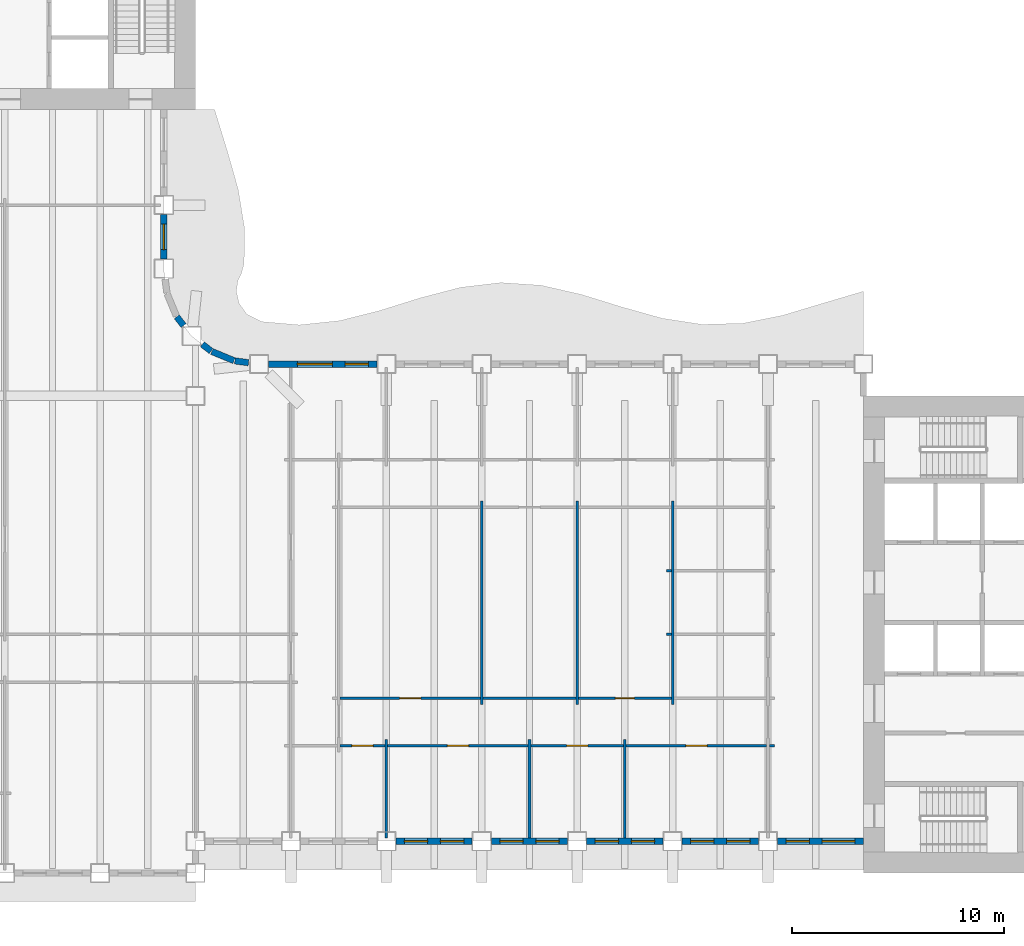
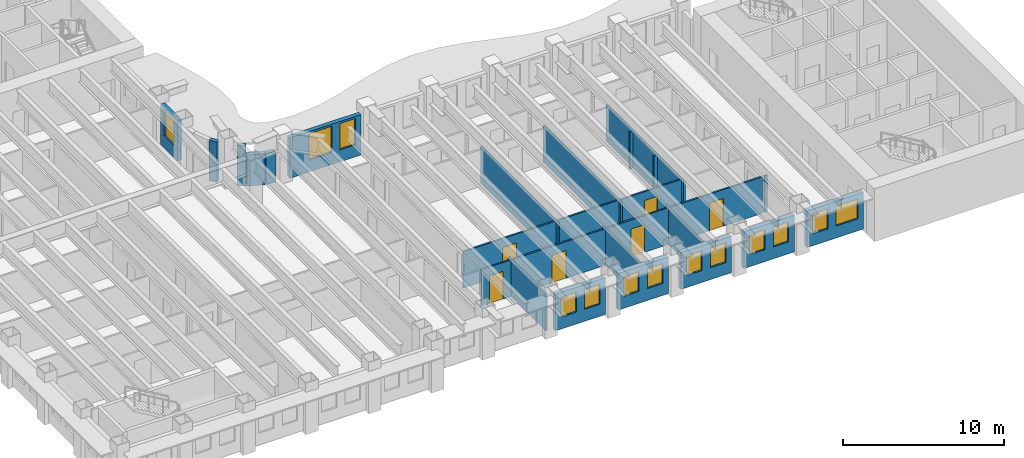
# One storey, part 5 of 16: 27 walls, 13 windows, 6 doors, 19 openings.
"""IFC4 building model written with IfcOpenShell, lengths in metres."""

from ifc_helpers import new_model, si_unit, direction, frame, frame_2d, origin, place, context, subcontext, project, spatial, rectangle, extrude, material, layer, layer_set, type_object, element, fill, save


model = new_model("IFC4")

# Units and contexts
model_context = context("Model", 3, precision=1e-05, world=origin(), true_north=direction((0.0, 1.0)))
body_context = subcontext(model_context, "Body", "Model", "MODEL_VIEW")
ifc_project = project(units=[si_unit("LENGTHUNIT", "METRE"), si_unit("AREAUNIT", "SQUARE_METRE"), si_unit("VOLUMEUNIT", "CUBIC_METRE"), si_unit("PLANEANGLEUNIT", "RADIAN"), si_unit("MASSUNIT", "GRAM", prefix="KILO")], contexts=[model_context])

# Site, building, storey
site_placement = place(None, origin())
site = spatial("IfcSite", under=ifc_project, at=site_placement, CompositionType="ELEMENT")
building_placement = place(site_placement, origin())
building = spatial("IfcBuilding", under=site, at=building_placement, Name="Sennacour Bend Tower", CompositionType="ELEMENT")
storey_placement = place(building_placement, frame((0.0, 0.0, 183.0)))
storey = spatial("IfcBuildingStorey", under=building, at=storey_placement, Name="L42", CompositionType="ELEMENT", Elevation=183.0)

# Walls
ifc_material_1 = material(Name="Plasterboard partition on steel studs", Category="steel")
ifc_layer_1 = layer(ifc_material_1, 0.1201171875, Name="Plasterboard partition on steel studs", Category="steel")
ifc_layer_set_1 = layer_set([ifc_layer_1], Name="Plasterboard partition on steel studs")
wall_type_1 = type_object("IfcWallType", Name="Partition 120", PredefinedType="PARTITIONING", material=ifc_layer_set_1)
wall_1_placement = place(storey_placement, frame((31.5, 1.64990234375, 0.0), z_axis=(0.0, 0.0, 1.0), x_axis=(0.0, 1.0, 0.0)))
element("IfcWall", 1, at=wall_1_placement, inside=storey, type_object=wall_type_1, Name="P-L42-W024a", PredefinedType="PARTITIONING", context=body_context, shape_type="SweptSolid", body=[
    extrude(rectangle(XDim=4.650146484375, YDim=0.1201171875, at=frame_2d((2.3251953125, 0.0))), origin(), (0.0, 0.0, 1.0), 2.77001953125),
])
wall_2_placement = place(storey_placement, frame((36.0, 7.949951171875, 0.0), z_axis=(0.0, 0.0, 1.0), x_axis=(0.0, 1.0, 0.0)))
element("IfcWall", 2, at=wall_2_placement, inside=storey, type_object=wall_type_1, Name="P-L42-W026a", PredefinedType="PARTITIONING", context=body_context, shape_type="SweptSolid", body=[
    extrude(rectangle(XDim=9.60009765625, YDim=0.1201171875, at=frame_2d((4.800048828125, 0.0))), origin(), (0.0, 0.0, 1.0), 2.77001953125),
])
wall_3_placement = place(storey_placement, frame((38.25, 1.64990234375, 0.0), z_axis=(0.0, 0.0, 1.0), x_axis=(0.0, 1.0, 0.0)))
element("IfcWall", 3, at=wall_3_placement, inside=storey, type_object=wall_type_1, Name="P-L42-W028a", PredefinedType="PARTITIONING", context=body_context, shape_type="SweptSolid", body=[
    extrude(rectangle(XDim=4.650146484375, YDim=0.1201171875, at=frame_2d((2.3251953125, 0.0))), origin(), (0.0, 0.0, 1.0), 2.77001953125),
])
wall_4_placement = place(storey_placement, frame((40.5, 7.949951171875, 0.0), z_axis=(0.0, 0.0, 1.0), x_axis=(0.0, 1.0, 0.0)))
element("IfcWall", 4, at=wall_4_placement, inside=storey, type_object=wall_type_1, Name="P-L42-W029a", PredefinedType="PARTITIONING", context=body_context, shape_type="SweptSolid", body=[
    extrude(rectangle(XDim=9.60009765625, YDim=0.1201171875, at=frame_2d((4.800048828125, 0.0))), origin(), (0.0, 0.0, 1.0), 2.77001953125),
])
wall_5_placement = place(storey_placement, frame((42.75, 1.64990234375, 0.0), z_axis=(0.0, 0.0, 1.0), x_axis=(0.0, 1.0, 0.0)))
element("IfcWall", 5, at=wall_5_placement, inside=storey, type_object=wall_type_1, Name="P-L42-W031a", PredefinedType="PARTITIONING", context=body_context, shape_type="SweptSolid", body=[
    extrude(rectangle(XDim=4.650146484375, YDim=0.1201171875, at=frame_2d((2.3251953125, 0.0))), origin(), (0.0, 0.0, 1.0), 2.77001953125),
])
wall_6_placement = place(storey_placement, frame((45.0, 7.949951171875, 0.0), z_axis=(0.0, 0.0, 1.0), x_axis=(0.0, 1.0, 0.0)))
element("IfcWall", 6, at=wall_6_placement, inside=storey, type_object=wall_type_1, Name="P-L42-W032a", PredefinedType="PARTITIONING", context=body_context, shape_type="SweptSolid", body=[
    extrude(rectangle(XDim=9.60009765625, YDim=0.1201171875, at=frame_2d((4.800048828125, 0.0))), origin(), (0.0, 0.0, 1.0), 2.77001953125),
])

# Wall, opening, door
wall_7_placement = place(storey_placement, frame((29.31005859375, 6.0, 0.0), z_axis=(0.0, 0.0, 1.0), x_axis=(1.0, 0.0, 0.0)))
wall_7 = element("IfcWall", 7, at=wall_7_placement, inside=storey, type_object=wall_type_1, Name="P-L42-W056ac", PredefinedType="PARTITIONING", context=body_context, shape_type="SweptSolid", body=[
    extrude(rectangle(XDim=2.1298828125, YDim=0.1201171875, at=frame_2d((1.06494140625, 0.0))), origin(), (0.0, 0.0, 1.0), 2.77001953125),
])
opening_1_placement = place(wall_7_placement, frame((0.56494140625, 0.0, 0.0)))
opening_1 = element("IfcOpeningElement", 8, at=opening_1_placement, cuts=wall_7, Name="Opening OD2", PredefinedType="OPENING", context=body_context, shape_type="SweptSolid", body=[
    extrude(rectangle(XDim=1.0, YDim=2.10009765625, at=frame_2d((0.5, 1.050048828125))), frame((0.0, 0.070068359375, 0.0), z_axis=(0.0, -1.0, 0.0), x_axis=(1.0, 0.0, 0.0)), (0.0, 0.0, 1.0), 0.14013671875),
])
ifc_material_2 = material(Name="Timber", Category="wood")
door_type_1 = type_object("IfcDoorType", Name="DR-OFFICE-1000", OperationType="NOTDEFINED", PredefinedType="DOOR", material=ifc_material_2)
door_1_placement = place(opening_1_placement, origin())
door_1 = element("IfcDoor", 9, at=door_1_placement, inside=storey, type_object=door_type_1, Name="Door", OperationType="SINGLE_SWING_LEFT", OverallHeight=2.10009765625, OverallWidth=1.0, PredefinedType="DOOR", context=body_context, shape_type="SweptSolid", body=[
    extrude(rectangle(XDim=1.0, YDim=2.10009765625, at=frame_2d((0.5, 1.050048828125))), frame((0.0, 0.02490234375, 0.0), z_axis=(0.0, -1.0, 0.0), x_axis=(1.0, 0.0, 0.0)), (0.0, 0.0, 1.0), 0.050048828125),
])
fill(opening_1, door_1)

wall_8_placement = place(storey_placement, frame((31.56005859375, 6.0, 0.0), z_axis=(0.0, 0.0, 1.0), x_axis=(1.0, 0.0, 0.0)))
wall_8 = element("IfcWall", 10, at=wall_8_placement, inside=storey, type_object=wall_type_1, Name="P-L42-W056ad", PredefinedType="PARTITIONING", context=body_context, shape_type="SweptSolid", body=[
    extrude(rectangle(XDim=6.6298828125, YDim=0.1201171875, at=frame_2d((3.31494140625, 0.0))), origin(), (0.0, 0.0, 1.0), 2.77001953125),
])
opening_2_placement = place(wall_8_placement, frame((2.81494140625, 0.0, 0.0)))
opening_2 = element("IfcOpeningElement", 11, at=opening_2_placement, cuts=wall_8, Name="Opening OD2", PredefinedType="OPENING", context=body_context, shape_type="SweptSolid", body=[
    extrude(rectangle(XDim=1.0, YDim=2.10009765625, at=frame_2d((0.5, 1.050048828125))), frame((0.0, 0.070068359375, 0.0), z_axis=(0.0, -1.0, 0.0), x_axis=(1.0, 0.0, 0.0)), (0.0, 0.0, 1.0), 0.14013671875),
])
door_2_placement = place(opening_2_placement, origin())
door_2 = element("IfcDoor", 12, at=door_2_placement, inside=storey, type_object=door_type_1, Name="Door", OperationType="SINGLE_SWING_LEFT", OverallHeight=2.10009765625, OverallWidth=1.0, PredefinedType="DOOR", context=body_context, shape_type="SweptSolid", body=[
    extrude(rectangle(XDim=1.0, YDim=2.10009765625, at=frame_2d((0.5, 1.050048828125))), frame((0.0, 0.02490234375, 0.0), z_axis=(0.0, -1.0, 0.0), x_axis=(1.0, 0.0, 0.0)), (0.0, 0.0, 1.0), 0.050048828125),
])
fill(opening_2, door_2)

wall_9_placement = place(storey_placement, frame((38.31005859375, 6.0, 0.0), z_axis=(0.0, 0.0, 1.0), x_axis=(1.0, 0.0, 0.0)))
wall_9 = element("IfcWall", 13, at=wall_9_placement, inside=storey, type_object=wall_type_1, Name="P-L42-W056ae", PredefinedType="PARTITIONING", context=body_context, shape_type="SweptSolid", body=[
    extrude(rectangle(XDim=4.3798828125, YDim=0.1201171875, at=frame_2d((2.18994140625, 0.0))), origin(), (0.0, 0.0, 1.0), 2.77001953125),
])
opening_3_placement = place(wall_9_placement, frame((1.68994140625, 0.0, 0.0)))
opening_3 = element("IfcOpeningElement", 14, at=opening_3_placement, cuts=wall_9, Name="Opening MD2", PredefinedType="OPENING", context=body_context, shape_type="SweptSolid", body=[
    extrude(rectangle(XDim=1.0, YDim=2.10009765625, at=frame_2d((0.5, 1.050048828125))), frame((0.0, 0.070068359375, 0.0), z_axis=(0.0, -1.0, 0.0), x_axis=(1.0, 0.0, 0.0)), (0.0, 0.0, 1.0), 0.14013671875),
])
door_type_2 = type_object("IfcDoorType", Name="DR-MEETING-1000", OperationType="NOTDEFINED", PredefinedType="DOOR", material=ifc_material_2)
door_3_placement = place(opening_3_placement, origin())
door_3 = element("IfcDoor", 15, at=door_3_placement, inside=storey, type_object=door_type_2, Name="Door", OperationType="SINGLE_SWING_LEFT", OverallHeight=2.10009765625, OverallWidth=1.0, PredefinedType="DOOR", context=body_context, shape_type="SweptSolid", body=[
    extrude(rectangle(XDim=1.0, YDim=2.10009765625, at=frame_2d((0.5, 1.050048828125))), frame((0.0, 0.02490234375, 0.0), z_axis=(0.0, -1.0, 0.0), x_axis=(1.0, 0.0, 0.0)), (0.0, 0.0, 1.0), 0.050048828125),
])
fill(opening_3, door_3)

wall_10_placement = place(storey_placement, frame((42.81005859375, 6.0, 0.0), z_axis=(0.0, 0.0, 1.0), x_axis=(1.0, 0.0, 0.0)))
wall_10 = element("IfcWall", 16, at=wall_10_placement, inside=storey, type_object=wall_type_1, Name="P-L42-W056af", PredefinedType="PARTITIONING", context=body_context, shape_type="SweptSolid", body=[
    extrude(rectangle(XDim=6.6298828125, YDim=0.1201171875, at=frame_2d((3.31494140625, 0.0))), origin(), (0.0, 0.0, 1.0), 2.77001953125),
])
opening_4_placement = place(wall_10_placement, frame((2.81494140625, 0.0, 0.0)))
opening_4 = element("IfcOpeningElement", 17, at=opening_4_placement, cuts=wall_10, Name="Opening OD2", PredefinedType="OPENING", context=body_context, shape_type="SweptSolid", body=[
    extrude(rectangle(XDim=1.0, YDim=2.10009765625, at=frame_2d((0.5, 1.050048828125))), frame((0.0, 0.070068359375, 0.0), z_axis=(0.0, -1.0, 0.0), x_axis=(1.0, 0.0, 0.0)), (0.0, 0.0, 1.0), 0.14013671875),
])
door_4_placement = place(opening_4_placement, origin())
door_4 = element("IfcDoor", 18, at=door_4_placement, inside=storey, type_object=door_type_1, Name="Door", OperationType="SINGLE_SWING_LEFT", OverallHeight=2.10009765625, OverallWidth=1.0, PredefinedType="DOOR", context=body_context, shape_type="SweptSolid", body=[
    extrude(rectangle(XDim=1.0, YDim=2.10009765625, at=frame_2d((0.5, 1.050048828125))), frame((0.0, 0.02490234375, 0.0), z_axis=(0.0, -1.0, 0.0), x_axis=(1.0, 0.0, 0.0)), (0.0, 0.0, 1.0), 0.050048828125),
])
fill(opening_4, door_4)

# Wall
wall_11_placement = place(storey_placement, frame((49.56005859375, 6.0, 0.0), z_axis=(0.0, 0.0, 1.0), x_axis=(1.0, 0.0, 0.0)))
element("IfcWall", 19, at=wall_11_placement, inside=storey, type_object=wall_type_1, Name="P-L42-W056ag", PredefinedType="PARTITIONING", context=body_context, shape_type="SweptSolid", body=[
    extrude(rectangle(XDim=0.239990234375, YDim=0.1201171875, at=frame_2d((0.1201171875, 0.0))), origin(), (0.0, 0.0, 1.0), 2.77001953125),
])

# Wall, opening, door
wall_12_placement = place(storey_placement, frame((29.31005859375, 8.25, 0.0), z_axis=(0.0, 0.0, 1.0), x_axis=(1.0, 0.0, 0.0)))
wall_12 = element("IfcWall", 20, at=wall_12_placement, inside=storey, type_object=wall_type_1, Name="P-L42-W058ab", PredefinedType="PARTITIONING", context=body_context, shape_type="SweptSolid", body=[
    extrude(rectangle(XDim=6.6298828125, YDim=0.1201171875, at=frame_2d((3.31494140625, 0.0))), origin(), (0.0, 0.0, 1.0), 2.77001953125),
])
opening_5_placement = place(wall_12_placement, frame((2.81494140625, 0.0, 0.0)))
opening_5 = element("IfcOpeningElement", 21, at=opening_5_placement, cuts=wall_12, Name="Opening OD2", PredefinedType="OPENING", context=body_context, shape_type="SweptSolid", body=[
    extrude(rectangle(XDim=1.0, YDim=2.10009765625, at=frame_2d((0.5, 1.050048828125))), frame((0.0, 0.070068359375, 0.0), z_axis=(0.0, -1.0, 0.0), x_axis=(1.0, 0.0, 0.0)), (0.0, 0.0, 1.0), 0.14013671875),
])
door_5_placement = place(opening_5_placement, origin())
door_5 = element("IfcDoor", 22, at=door_5_placement, inside=storey, type_object=door_type_1, Name="Door", OperationType="SINGLE_SWING_LEFT", OverallHeight=2.10009765625, OverallWidth=1.0, PredefinedType="DOOR", context=body_context, shape_type="SweptSolid", body=[
    extrude(rectangle(XDim=1.0, YDim=2.10009765625, at=frame_2d((0.5, 1.050048828125))), frame((0.0, 0.02490234375, 0.0), z_axis=(0.0, -1.0, 0.0), x_axis=(1.0, 0.0, 0.0)), (0.0, 0.0, 1.0), 0.050048828125),
])
fill(opening_5, door_5)

# Walls
wall_13_placement = place(storey_placement, frame((36.06005859375, 8.25, 0.0), z_axis=(0.0, 0.0, 1.0), x_axis=(1.0, 0.0, 0.0)))
element("IfcWall", 23, at=wall_13_placement, inside=storey, type_object=wall_type_1, Name="P-L42-W058ac", PredefinedType="PARTITIONING", context=body_context, shape_type="SweptSolid", body=[
    extrude(rectangle(XDim=4.3798828125, YDim=0.1201171875, at=frame_2d((2.18994140625, 0.0))), origin(), (0.0, 0.0, 1.0), 2.77001953125),
])
for number, where, z_axis, x_axis, name in (
    (24, (44.699951171875, 11.25, 0.0), (0.0, 0.0, 1.0), (1.0, 0.0, 0.0), "P-L42-W062aa"),
    (25, (44.699951171875, 14.25, 0.0), (0.0, 0.0, 1.0), (1.0, 0.0, 0.0), "P-L42-W064aa"),
):
    element("IfcWall", number, at=place(storey_placement, frame(where, z_axis=z_axis, x_axis=x_axis)), inside=storey, type_object=wall_type_1, Name=name, PredefinedType="PARTITIONING", context=body_context, shape_type="SweptSolid", body=[
        extrude(rectangle(XDim=0.239990234375, YDim=0.1201171875, at=frame_2d((0.1201171875, 0.0))), origin(), (0.0, 0.0, 1.0), 2.77001953125),
    ])

# Wall, opening, door
ifc_layer_2 = layer(ifc_material_1, 0.1201171875, Name="Plasterboard partition on steel studs", Category="steel")
ifc_layer_set_2 = layer_set([ifc_layer_2], Name="Plasterboard partition on steel studs")
wall_type_2 = type_object("IfcWallType", Name="Partition 120 EI 60", PredefinedType="PARTITIONING", material=ifc_layer_set_2)
wall_14_placement = place(storey_placement, frame((40.56005859375, 8.25, 0.0), z_axis=(0.0, 0.0, 1.0), x_axis=(1.0, 0.0, 0.0)))
wall_14 = element("IfcWall", 26, at=wall_14_placement, inside=storey, type_object=wall_type_2, Name="P-L42-W058ad", PredefinedType="PARTITIONING", context=body_context, shape_type="SweptSolid", body=[
    extrude(rectangle(XDim=4.3798828125, YDim=0.1201171875, at=frame_2d((2.18994140625, 0.0))), origin(), (0.0, 0.0, 1.0), 2.77001953125),
])
opening_6_placement = place(wall_14_placement, frame((1.739990234375, 0.0, 0.0)))
opening_6 = element("IfcOpeningElement", 27, at=opening_6_placement, cuts=wall_14, Name="Opening SV", PredefinedType="OPENING", context=body_context, shape_type="SweptSolid", body=[
    extrude(rectangle(XDim=0.89990234375, YDim=2.10009765625, at=frame_2d((0.449951171875, 1.050048828125))), frame((0.0, 0.070068359375, 0.0), z_axis=(0.0, -1.0, 0.0), x_axis=(1.0, 0.0, 0.0)), (0.0, 0.0, 1.0), 0.14013671875),
])
ifc_material_3 = material(Name="Painted steel", Category="steel")
door_type_3 = type_object("IfcDoorType", Name="DR-SERVICE-900", OperationType="NOTDEFINED", PredefinedType="DOOR", material=ifc_material_3)
door_6_placement = place(opening_6_placement, origin())
door_6 = element("IfcDoor", 28, at=door_6_placement, inside=storey, type_object=door_type_3, Name="Door", OperationType="SINGLE_SWING_LEFT", OverallHeight=2.10009765625, OverallWidth=0.89990234375, PredefinedType="DOOR", context=body_context, shape_type="SweptSolid", body=[
    extrude(rectangle(XDim=0.89990234375, YDim=2.10009765625, at=frame_2d((0.449951171875, 1.050048828125))), frame((0.0, 0.02490234375, 0.0), z_axis=(0.0, -1.0, 0.0), x_axis=(1.0, 0.0, 0.0)), (0.0, 0.0, 1.0), 0.050048828125),
])
fill(opening_6, door_6)

# Wall, openings, windows
ifc_material_4 = material(Name="Warm limestone cladding", Category="masonry")
ifc_layer_3 = layer(ifc_material_4, 0.050048828125, Name="Warm limestone cladding", Category="masonry")
ifc_material_5 = material(Name="Precast concrete C40/50", Category="concrete")
ifc_layer_4 = layer(ifc_material_5, 0.25, Name="Precast concrete C40/50", Category="concrete")
ifc_layer_set_3 = layer_set([ifc_layer_3, ifc_layer_4], Name="Precast concrete C40/50 with limestone cladding")
wall_type_3 = type_object("IfcWallType", Name="STONE-CLAD PRECAST SPANDREL 300", PredefinedType="STANDARD", material=ifc_layer_set_3)
wall_15_placement = place(storey_placement, frame((31.949951171875, 1.5, 0.0), z_axis=(0.0, 0.0, 1.0), x_axis=(1.0, 0.0, 0.0)))
wall_15 = element("IfcWall", 29, at=wall_15_placement, inside=storey, type_object=wall_type_3, Name="Stone spandrel and pier wall L42 02.02", PredefinedType="STANDARD", context=body_context, shape_type="SweptSolid", body=[
    extrude(rectangle(XDim=3.60009765625, YDim=0.300048828125, at=frame_2d((1.800048828125, 0.0))), origin(), (0.0, 0.0, 1.0), 2.77001953125),
])
opening_7_placement = place(wall_15_placement, frame((0.39990234375, 0.0, 0.89990234375)))
opening_7 = element("IfcOpeningElement", 30, at=opening_7_placement, cuts=wall_15, Name="Opening W20", PredefinedType="OPENING", context=body_context, shape_type="SweptSolid", body=[
    extrude(rectangle(XDim=1.10009765625, YDim=1.5, at=frame_2d((0.550048828125, 0.75))), frame((0.0, 0.16015625, 0.0), z_axis=(0.0, -1.0, 0.0), x_axis=(1.0, 0.0, 0.0)), (0.0, 0.0, 1.0), 0.320068359375),
])
opening_8_placement = place(wall_15_placement, frame((2.10009765625, 0.0, 0.89990234375)))
opening_8 = element("IfcOpeningElement", 31, at=opening_8_placement, cuts=wall_15, Name="Opening W20", PredefinedType="OPENING", context=body_context, shape_type="SweptSolid", body=[
    extrude(rectangle(XDim=1.10009765625, YDim=1.5, at=frame_2d((0.550048828125, 0.75))), frame((0.0, 0.16015625, 0.0), z_axis=(0.0, -1.0, 0.0), x_axis=(1.0, 0.0, 0.0)), (0.0, 0.0, 1.0), 0.320068359375),
])
ifc_material_6 = material(Name="Clear low-emissivity glass", Category="glass")
window_type_1 = type_object("IfcWindowType", Name="WIN-RIBBON-1100x1500", PartitioningType="SINGLE_PANEL", PredefinedType="WINDOW", material=ifc_material_6)
window_1_placement = place(opening_7_placement, origin())
window_1 = element("IfcWindow", 32, at=window_1_placement, inside=storey, type_object=window_type_1, Name="Ribbon window L42 02.02.0", OverallHeight=1.5, OverallWidth=1.10009765625, PartitioningType="SINGLE_PANEL", PredefinedType="WINDOW", context=body_context, shape_type="SweptSolid", body=[
    extrude(rectangle(XDim=1.10009765625, YDim=1.5, at=frame_2d((0.550048828125, 0.75))), frame((0.0, 0.030029296875, 0.0), z_axis=(0.0, -1.0, 0.0), x_axis=(1.0, 0.0, 0.0)), (0.0, 0.0, 1.0), 0.06005859375),
])
fill(opening_7, window_1)
window_2_placement = place(opening_8_placement, origin())
window_2 = element("IfcWindow", 33, at=window_2_placement, inside=storey, type_object=window_type_1, Name="Ribbon window L42 02.02.1", OverallHeight=1.5, OverallWidth=1.10009765625, PartitioningType="SINGLE_PANEL", PredefinedType="WINDOW", context=body_context, shape_type="SweptSolid", body=[
    extrude(rectangle(XDim=1.10009765625, YDim=1.5, at=frame_2d((0.550048828125, 0.75))), frame((0.0, 0.030029296875, 0.0), z_axis=(0.0, -1.0, 0.0), x_axis=(1.0, 0.0, 0.0)), (0.0, 0.0, 1.0), 0.06005859375),
])
fill(opening_8, window_2)

wall_16_placement = place(storey_placement, frame((36.449951171875, 1.5, 0.0), z_axis=(0.0, 0.0, 1.0), x_axis=(1.0, 0.0, 0.0)))
wall_16 = element("IfcWall", 34, at=wall_16_placement, inside=storey, type_object=wall_type_3, Name="Stone spandrel and pier wall L42 02.03", PredefinedType="STANDARD", context=body_context, shape_type="SweptSolid", body=[
    extrude(rectangle(XDim=3.60009765625, YDim=0.300048828125, at=frame_2d((1.800048828125, 0.0))), origin(), (0.0, 0.0, 1.0), 2.77001953125),
])
opening_9_placement = place(wall_16_placement, frame((0.39990234375, 0.0, 0.89990234375)))
opening_9 = element("IfcOpeningElement", 35, at=opening_9_placement, cuts=wall_16, Name="Opening W20", PredefinedType="OPENING", context=body_context, shape_type="SweptSolid", body=[
    extrude(rectangle(XDim=1.10009765625, YDim=1.5, at=frame_2d((0.550048828125, 0.75))), frame((0.0, 0.16015625, 0.0), z_axis=(0.0, -1.0, 0.0), x_axis=(1.0, 0.0, 0.0)), (0.0, 0.0, 1.0), 0.320068359375),
])
opening_10_placement = place(wall_16_placement, frame((2.10009765625, 0.0, 0.89990234375)))
opening_10 = element("IfcOpeningElement", 36, at=opening_10_placement, cuts=wall_16, Name="Opening W20", PredefinedType="OPENING", context=body_context, shape_type="SweptSolid", body=[
    extrude(rectangle(XDim=1.10009765625, YDim=1.5, at=frame_2d((0.550048828125, 0.75))), frame((0.0, 0.16015625, 0.0), z_axis=(0.0, -1.0, 0.0), x_axis=(1.0, 0.0, 0.0)), (0.0, 0.0, 1.0), 0.320068359375),
])
window_3_placement = place(opening_9_placement, origin())
window_3 = element("IfcWindow", 37, at=window_3_placement, inside=storey, type_object=window_type_1, Name="Ribbon window L42 02.03.0", OverallHeight=1.5, OverallWidth=1.10009765625, PartitioningType="SINGLE_PANEL", PredefinedType="WINDOW", context=body_context, shape_type="SweptSolid", body=[
    extrude(rectangle(XDim=1.10009765625, YDim=1.5, at=frame_2d((0.550048828125, 0.75))), frame((0.0, 0.030029296875, 0.0), z_axis=(0.0, -1.0, 0.0), x_axis=(1.0, 0.0, 0.0)), (0.0, 0.0, 1.0), 0.06005859375),
])
fill(opening_9, window_3)
window_4_placement = place(opening_10_placement, origin())
window_4 = element("IfcWindow", 38, at=window_4_placement, inside=storey, type_object=window_type_1, Name="Ribbon window L42 02.03.1", OverallHeight=1.5, OverallWidth=1.10009765625, PartitioningType="SINGLE_PANEL", PredefinedType="WINDOW", context=body_context, shape_type="SweptSolid", body=[
    extrude(rectangle(XDim=1.10009765625, YDim=1.5, at=frame_2d((0.550048828125, 0.75))), frame((0.0, 0.030029296875, 0.0), z_axis=(0.0, -1.0, 0.0), x_axis=(1.0, 0.0, 0.0)), (0.0, 0.0, 1.0), 0.06005859375),
])
fill(opening_10, window_4)

wall_17_placement = place(storey_placement, frame((40.949951171875, 1.5, 0.0), z_axis=(0.0, 0.0, 1.0), x_axis=(1.0, 0.0, 0.0)))
wall_17 = element("IfcWall", 39, at=wall_17_placement, inside=storey, type_object=wall_type_3, Name="Stone spandrel and pier wall L42 02.04", PredefinedType="STANDARD", context=body_context, shape_type="SweptSolid", body=[
    extrude(rectangle(XDim=3.60009765625, YDim=0.300048828125, at=frame_2d((1.800048828125, 0.0))), origin(), (0.0, 0.0, 1.0), 2.77001953125),
])
opening_11_placement = place(wall_17_placement, frame((0.39990234375, 0.0, 0.89990234375)))
opening_11 = element("IfcOpeningElement", 40, at=opening_11_placement, cuts=wall_17, Name="Opening W20", PredefinedType="OPENING", context=body_context, shape_type="SweptSolid", body=[
    extrude(rectangle(XDim=1.10009765625, YDim=1.5, at=frame_2d((0.550048828125, 0.75))), frame((0.0, 0.16015625, 0.0), z_axis=(0.0, -1.0, 0.0), x_axis=(1.0, 0.0, 0.0)), (0.0, 0.0, 1.0), 0.320068359375),
])
opening_12_placement = place(wall_17_placement, frame((2.10009765625, 0.0, 0.89990234375)))
opening_12 = element("IfcOpeningElement", 41, at=opening_12_placement, cuts=wall_17, Name="Opening W20", PredefinedType="OPENING", context=body_context, shape_type="SweptSolid", body=[
    extrude(rectangle(XDim=1.10009765625, YDim=1.5, at=frame_2d((0.550048828125, 0.75))), frame((0.0, 0.16015625, 0.0), z_axis=(0.0, -1.0, 0.0), x_axis=(1.0, 0.0, 0.0)), (0.0, 0.0, 1.0), 0.320068359375),
])
window_5_placement = place(opening_11_placement, origin())
window_5 = element("IfcWindow", 42, at=window_5_placement, inside=storey, type_object=window_type_1, Name="Ribbon window L42 02.04.0", OverallHeight=1.5, OverallWidth=1.10009765625, PartitioningType="SINGLE_PANEL", PredefinedType="WINDOW", context=body_context, shape_type="SweptSolid", body=[
    extrude(rectangle(XDim=1.10009765625, YDim=1.5, at=frame_2d((0.550048828125, 0.75))), frame((0.0, 0.030029296875, 0.0), z_axis=(0.0, -1.0, 0.0), x_axis=(1.0, 0.0, 0.0)), (0.0, 0.0, 1.0), 0.06005859375),
])
fill(opening_11, window_5)
window_6_placement = place(opening_12_placement, origin())
window_6 = element("IfcWindow", 43, at=window_6_placement, inside=storey, type_object=window_type_1, Name="Ribbon window L42 02.04.1", OverallHeight=1.5, OverallWidth=1.10009765625, PartitioningType="SINGLE_PANEL", PredefinedType="WINDOW", context=body_context, shape_type="SweptSolid", body=[
    extrude(rectangle(XDim=1.10009765625, YDim=1.5, at=frame_2d((0.550048828125, 0.75))), frame((0.0, 0.030029296875, 0.0), z_axis=(0.0, -1.0, 0.0), x_axis=(1.0, 0.0, 0.0)), (0.0, 0.0, 1.0), 0.06005859375),
])
fill(opening_12, window_6)

wall_18_placement = place(storey_placement, frame((45.449951171875, 1.5, 0.0), z_axis=(0.0, 0.0, 1.0), x_axis=(1.0, 0.0, 0.0)))
wall_18 = element("IfcWall", 44, at=wall_18_placement, inside=storey, type_object=wall_type_3, Name="Stone spandrel and pier wall L42 02.05", PredefinedType="STANDARD", context=body_context, shape_type="SweptSolid", body=[
    extrude(rectangle(XDim=3.60009765625, YDim=0.300048828125, at=frame_2d((1.800048828125, 0.0))), origin(), (0.0, 0.0, 1.0), 2.77001953125),
])
opening_13_placement = place(wall_18_placement, frame((0.39990234375, 0.0, 0.89990234375)))
opening_13 = element("IfcOpeningElement", 45, at=opening_13_placement, cuts=wall_18, Name="Opening W20", PredefinedType="OPENING", context=body_context, shape_type="SweptSolid", body=[
    extrude(rectangle(XDim=1.10009765625, YDim=1.5, at=frame_2d((0.550048828125, 0.75))), frame((0.0, 0.16015625, 0.0), z_axis=(0.0, -1.0, 0.0), x_axis=(1.0, 0.0, 0.0)), (0.0, 0.0, 1.0), 0.320068359375),
])
opening_14_placement = place(wall_18_placement, frame((2.10009765625, 0.0, 0.89990234375)))
opening_14 = element("IfcOpeningElement", 46, at=opening_14_placement, cuts=wall_18, Name="Opening W20", PredefinedType="OPENING", context=body_context, shape_type="SweptSolid", body=[
    extrude(rectangle(XDim=1.10009765625, YDim=1.5, at=frame_2d((0.550048828125, 0.75))), frame((0.0, 0.16015625, 0.0), z_axis=(0.0, -1.0, 0.0), x_axis=(1.0, 0.0, 0.0)), (0.0, 0.0, 1.0), 0.320068359375),
])
window_7_placement = place(opening_13_placement, origin())
window_7 = element("IfcWindow", 47, at=window_7_placement, inside=storey, type_object=window_type_1, Name="Ribbon window L42 02.05.0", OverallHeight=1.5, OverallWidth=1.10009765625, PartitioningType="SINGLE_PANEL", PredefinedType="WINDOW", context=body_context, shape_type="SweptSolid", body=[
    extrude(rectangle(XDim=1.10009765625, YDim=1.5, at=frame_2d((0.550048828125, 0.75))), frame((0.0, 0.030029296875, 0.0), z_axis=(0.0, -1.0, 0.0), x_axis=(1.0, 0.0, 0.0)), (0.0, 0.0, 1.0), 0.06005859375),
])
fill(opening_13, window_7)
window_8_placement = place(opening_14_placement, origin())
window_8 = element("IfcWindow", 48, at=window_8_placement, inside=storey, type_object=window_type_1, Name="Ribbon window L42 02.05.1", OverallHeight=1.5, OverallWidth=1.10009765625, PartitioningType="SINGLE_PANEL", PredefinedType="WINDOW", context=body_context, shape_type="SweptSolid", body=[
    extrude(rectangle(XDim=1.10009765625, YDim=1.5, at=frame_2d((0.550048828125, 0.75))), frame((0.0, 0.030029296875, 0.0), z_axis=(0.0, -1.0, 0.0), x_axis=(1.0, 0.0, 0.0)), (0.0, 0.0, 1.0), 0.06005859375),
])
fill(opening_14, window_8)

wall_19_placement = place(storey_placement, frame((49.949951171875, 1.5, 0.0), z_axis=(0.0, 0.0, 1.0), x_axis=(1.0, 0.0, 0.0)))
wall_19 = element("IfcWall", 49, at=wall_19_placement, inside=storey, type_object=wall_type_3, Name="Stone spandrel and pier wall L42 02.06", PredefinedType="STANDARD", context=body_context, shape_type="SweptSolid", body=[
    extrude(rectangle(XDim=4.050048828125, YDim=0.300048828125, at=frame_2d((2.02490234375, 0.0))), origin(), (0.0, 0.0, 1.0), 2.77001953125),
])
opening_15_placement = place(wall_19_placement, frame((0.39990234375, 0.0, 0.89990234375)))
opening_15 = element("IfcOpeningElement", 50, at=opening_15_placement, cuts=wall_19, Name="Opening W20", PredefinedType="OPENING", context=body_context, shape_type="SweptSolid", body=[
    extrude(rectangle(XDim=1.10009765625, YDim=1.5, at=frame_2d((0.550048828125, 0.75))), frame((0.0, 0.16015625, 0.0), z_axis=(0.0, -1.0, 0.0), x_axis=(1.0, 0.0, 0.0)), (0.0, 0.0, 1.0), 0.320068359375),
])
opening_16_placement = place(wall_19_placement, frame((2.10009765625, 0.0, 0.89990234375)))
opening_16 = element("IfcOpeningElement", 51, at=opening_16_placement, cuts=wall_19, Name="Opening W21", PredefinedType="OPENING", context=body_context, shape_type="SweptSolid", body=[
    extrude(rectangle(XDim=1.550048828125, YDim=1.5, at=frame_2d((0.77490234375, 0.75))), frame((0.0, 0.16015625, 0.0), z_axis=(0.0, -1.0, 0.0), x_axis=(1.0, 0.0, 0.0)), (0.0, 0.0, 1.0), 0.320068359375),
])
window_9_placement = place(opening_15_placement, origin())
window_9 = element("IfcWindow", 52, at=window_9_placement, inside=storey, type_object=window_type_1, Name="Ribbon window L42 02.06.0", OverallHeight=1.5, OverallWidth=1.10009765625, PartitioningType="SINGLE_PANEL", PredefinedType="WINDOW", context=body_context, shape_type="SweptSolid", body=[
    extrude(rectangle(XDim=1.10009765625, YDim=1.5, at=frame_2d((0.550048828125, 0.75))), frame((0.0, 0.030029296875, 0.0), z_axis=(0.0, -1.0, 0.0), x_axis=(1.0, 0.0, 0.0)), (0.0, 0.0, 1.0), 0.06005859375),
])
fill(opening_15, window_9)
window_type_2 = type_object("IfcWindowType", Name="WIN-RIBBON-1550x1500", PartitioningType="SINGLE_PANEL", PredefinedType="WINDOW", material=ifc_material_6)
window_10_placement = place(opening_16_placement, origin())
window_10 = element("IfcWindow", 53, at=window_10_placement, inside=storey, type_object=window_type_2, Name="Ribbon window L42 02.06.1", OverallHeight=1.5, OverallWidth=1.550048828125, PartitioningType="SINGLE_PANEL", PredefinedType="WINDOW", context=body_context, shape_type="SweptSolid", body=[
    extrude(rectangle(XDim=1.550048828125, YDim=1.5, at=frame_2d((0.77490234375, 0.75))), frame((0.0, 0.030029296875, 0.0), z_axis=(0.0, -1.0, 0.0), x_axis=(1.0, 0.0, 0.0)), (0.0, 0.0, 1.0), 0.06005859375),
])
fill(opening_16, window_10)

wall_20_placement = place(storey_placement, frame((31.050048828125, 24.0, 0.0), z_axis=(0.0, 0.0, 1.0), x_axis=(-1.0, 0.0, 0.0)))
wall_20 = element("IfcWall", 54, at=wall_20_placement, inside=storey, type_object=wall_type_3, Name="Stone spandrel and pier wall L42 08.05", PredefinedType="STANDARD", context=body_context, shape_type="SweptSolid", body=[
    extrude(rectangle(XDim=5.10009765625, YDim=0.300048828125, at=frame_2d((2.550048828125, 0.0))), origin(), (0.0, 0.0, 1.0), 3.049072265625),
])
opening_17_placement = place(wall_20_placement, frame((0.39990234375, 0.0, 0.89990234375)))
opening_17 = element("IfcOpeningElement", 55, at=opening_17_placement, cuts=wall_20, Name="Opening W19", PredefinedType="OPENING", context=body_context, shape_type="SweptSolid", body=[
    extrude(rectangle(XDim=1.10009765625, YDim=2.0, at=frame_2d((0.550048828125, 1.0))), frame((0.0, 0.16015625, 0.0), z_axis=(0.0, -1.0, 0.0), x_axis=(1.0, 0.0, 0.0)), (0.0, 0.0, 1.0), 0.320068359375),
])
opening_18_placement = place(wall_20_placement, frame((2.10009765625, 0.0, 0.89990234375)))
opening_18 = element("IfcOpeningElement", 56, at=opening_18_placement, cuts=wall_20, Name="Opening W10", PredefinedType="OPENING", context=body_context, shape_type="SweptSolid", body=[
    extrude(rectangle(XDim=1.64990234375, YDim=2.0, at=frame_2d((0.824951171875, 1.0))), frame((0.0, 0.16015625, 0.0), z_axis=(0.0, -1.0, 0.0), x_axis=(1.0, 0.0, 0.0)), (0.0, 0.0, 1.0), 0.320068359375),
])
window_type_3 = type_object("IfcWindowType", Name="WIN-RIBBON-1100x2000", PartitioningType="SINGLE_PANEL", PredefinedType="WINDOW", material=ifc_material_6)
window_11_placement = place(opening_17_placement, origin())
window_11 = element("IfcWindow", 57, at=window_11_placement, inside=storey, type_object=window_type_3, Name="Ribbon window L42 08.05.0", OverallHeight=2.0, OverallWidth=1.10009765625, PartitioningType="SINGLE_PANEL", PredefinedType="WINDOW", context=body_context, shape_type="SweptSolid", body=[
    extrude(rectangle(XDim=1.10009765625, YDim=2.0, at=frame_2d((0.550048828125, 1.0))), frame((0.0, 0.030029296875, 0.0), z_axis=(0.0, -1.0, 0.0), x_axis=(1.0, 0.0, 0.0)), (0.0, 0.0, 1.0), 0.06005859375),
])
fill(opening_17, window_11)
window_type_4 = type_object("IfcWindowType", Name="WIN-RIBBON-1650x2000", PartitioningType="SINGLE_PANEL", PredefinedType="WINDOW", material=ifc_material_6)
window_12_placement = place(opening_18_placement, origin())
window_12 = element("IfcWindow", 58, at=window_12_placement, inside=storey, type_object=window_type_4, Name="Ribbon window L42 08.05.1", OverallHeight=2.0, OverallWidth=1.64990234375, PartitioningType="SINGLE_PANEL", PredefinedType="WINDOW", context=body_context, shape_type="SweptSolid", body=[
    extrude(rectangle(XDim=1.64990234375, YDim=2.0, at=frame_2d((0.824951171875, 1.0))), frame((0.0, 0.030029296875, 0.0), z_axis=(0.0, -1.0, 0.0), x_axis=(1.0, 0.0, 0.0)), (0.0, 0.0, 1.0), 0.06005859375),
])
fill(opening_18, window_12)

# Walls
wall_21_placement = place(storey_placement, frame((24.99951171875, 24.06591796875, 0.0), z_axis=(0.0, 0.0, 1.0), x_axis=(-0.991423590996, 0.130687655177, 0.0)))
element("IfcWall", 59, at=wall_21_placement, inside=storey, type_object=wall_type_3, Name="Stone spandrel and pier wall L42 09.00", PredefinedType="STANDARD", context=body_context, shape_type="SweptSolid", body=[
    extrude(rectangle(XDim=0.650146484375, YDim=0.300048828125, at=frame_2d((0.3251953125, 0.0))), origin(), (0.0, 0.0, 1.0), 2.35009765625),
])
wall_22_placement = place(storey_placement, frame((24.317138671875, 24.160888671875, 0.0), z_axis=(0.0, 0.0, 1.0), x_axis=(-0.923914616768, 0.382598720491, 0.0)))
element("IfcWall", 60, at=wall_22_placement, inside=storey, type_object=wall_type_3, Name="Stone spandrel and pier wall L42 10.00", PredefinedType="STANDARD", context=body_context, shape_type="SweptSolid", body=[
    extrude(rectangle(XDim=1.13525390625, YDim=0.300048828125, at=frame_2d((0.567626953125, 0.0))), origin(), (0.0, 0.0, 1.0), 2.35009765625),
])
for number, where, z_axis, x_axis, name in (
    (61, (23.234375, 24.614990234375, 0.0), (0.0, 0.0, 1.0), (-0.793523857856, 0.608539141726, 0.0), "Stone spandrel and pier wall L42 11.00"),
    (62, (21.933837890625, 25.818603515625, 0.0), (0.0, 0.0, 1.0), (-0.608539141726, 0.793523857856, 0.0), "Stone spandrel and pier wall L42 12.00"),
):
    element("IfcWall", number, at=place(storey_placement, frame(where, z_axis=z_axis, x_axis=x_axis)), inside=storey, type_object=wall_type_3, Name=name, PredefinedType="STANDARD", context=body_context, shape_type="SweptSolid", body=[
        extrude(rectangle(XDim=0.52392578125, YDim=0.300048828125, at=frame_2d((0.261962890625, 0.0))), origin(), (0.0, 0.0, 1.0), 3.049072265625),
    ])

# Wall, opening, window
wall_23_placement = place(storey_placement, frame((21.0, 28.949951171875, 0.0), z_axis=(0.0, 0.0, 1.0), x_axis=(0.0, 1.0, 0.0)))
wall_23 = element("IfcWall", 63, at=wall_23_placement, inside=storey, type_object=wall_type_3, Name="Stone spandrel and pier wall L42 15.00", PredefinedType="STANDARD", context=body_context, shape_type="SweptSolid", body=[
    extrude(rectangle(XDim=2.10009765625, YDim=0.300048828125, at=frame_2d((1.050048828125, 0.0))), origin(), (0.0, 0.0, 1.0), 3.049072265625),
])
opening_19_placement = place(wall_23_placement, frame((0.449951171875, 0.0, 0.89990234375)))
opening_19 = element("IfcOpeningElement", 64, at=opening_19_placement, cuts=wall_23, Name="Opening W14", PredefinedType="OPENING", context=body_context, shape_type="SweptSolid", body=[
    extrude(rectangle(XDim=1.199951171875, YDim=2.0, at=frame_2d((0.60009765625, 1.0))), frame((0.0, 0.16015625, 0.0), z_axis=(0.0, -1.0, 0.0), x_axis=(1.0, 0.0, 0.0)), (0.0, 0.0, 1.0), 0.320068359375),
])
window_type_5 = type_object("IfcWindowType", Name="WIN-RIBBON-1200x2000", PartitioningType="SINGLE_PANEL", PredefinedType="WINDOW", material=ifc_material_6)
window_13_placement = place(opening_19_placement, origin())
window_13 = element("IfcWindow", 65, at=window_13_placement, inside=storey, type_object=window_type_5, Name="Ribbon window L42 15.00", OverallHeight=2.0, OverallWidth=1.199951171875, PartitioningType="SINGLE_PANEL", PredefinedType="WINDOW", context=body_context, shape_type="SweptSolid", body=[
    extrude(rectangle(XDim=1.199951171875, YDim=2.0, at=frame_2d((0.60009765625, 1.0))), frame((0.0, 0.030029296875, 0.0), z_axis=(0.0, -1.0, 0.0), x_axis=(1.0, 0.0, 0.0)), (0.0, 0.0, 1.0), 0.06005859375),
])
fill(opening_19, window_13)

save(model, "model.ifc")
